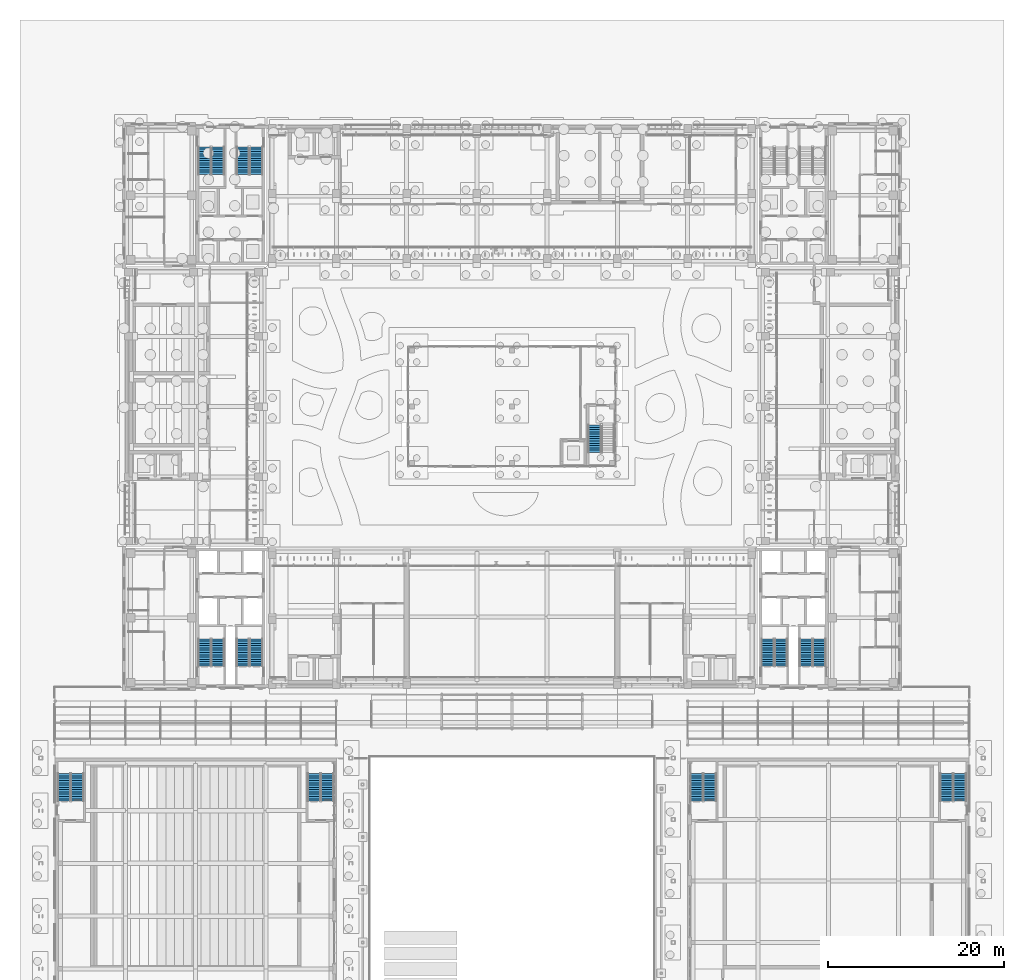
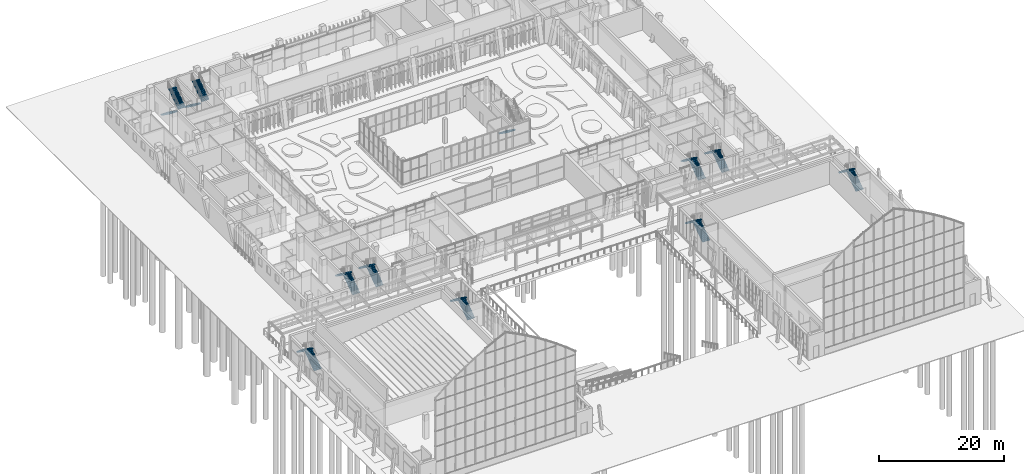
# One storey, part 115 of 144: 21 stair flights, 11 elements without a shape of their own.
"""IFC4 building model written with IfcOpenShell, lengths in metres."""

import ifcopenshell
import ifcopenshell.guid

model = None  # the IFC model being written
_history = None  # IfcOwnerHistory: only IFC2X3 demands one
_inside = {}  # id of a spatial element -> (the spatial element, [elements in it])
_under = {}  # id of a project, library or spatial element -> (it, [spatial elements below it])
_declared = {}  # id of a project -> (the project, [libraries it declares])
_typed = {}  # id of a type object -> (the type object, [elements of that type])
_made_of = {}  # id of a material, layer set ... -> (it, [elements and type objects made of it])


def new_model(schema):
    """Start an empty IFC model of exactly this schema.

    Asked for "IFC4X3", IfcOpenShell would pick the latest addendum, in which some entities
    have other attributes; the version numbers below select the first issue.
    IFC2X3 requires an IfcOwnerHistory on every rooted entity: one is made here for all.
    """
    global model, _history
    if schema == "IFC4X3":
        model = ifcopenshell.file(schema_version=(4, 3, 0, 0))
    else:
        model = ifcopenshell.file(schema=schema)
    _inside.clear()
    _under.clear()
    _declared.clear()
    _typed.clear()
    _made_of.clear()
    _history = None
    if model.schema == "IFC2X3":
        org = make("IfcOrganization", Name="unknown")
        user = make(
            "IfcPersonAndOrganization",
            ThePerson=make("IfcPerson", FamilyName="unknown"),
            TheOrganization=org,
        )
        app = make(
            "IfcApplication",
            ApplicationDeveloper=org,
            Version="unknown",
            ApplicationFullName="unknown",
            ApplicationIdentifier="unknown",
        )
        _history = make(
            "IfcOwnerHistory",
            OwningUser=user,
            OwningApplication=app,
            ChangeAction="ADDED",
            CreationDate=0,
        )
    return model


def make(cls, **values):
    """One entity of the class cls with the attributes given. An attribute that is None is left unset."""
    return model.create_entity(
        cls, **{name: value for name, value in values.items() if value is not None}
    )


def rooted(cls, **values):
    """An entity with a GlobalId (a new one), such as an element, a storey or a relation."""
    return make(cls, GlobalId=ifcopenshell.guid.new(), OwnerHistory=_history, **values)


def si_unit(unit_type, name, prefix=None):
    """IfcSIUnit, for example si_unit("LENGTHUNIT", "METRE", prefix="MILLI")."""
    return make("IfcSIUnit", UnitType=unit_type, Prefix=prefix, Name=name)


def assignment(units):
    """IfcUnitAssignment: the units of a project."""
    return None if units is None else make("IfcUnitAssignment", Units=units)


def point(xyz):
    """IfcCartesianPoint."""
    return None if xyz is None else make("IfcCartesianPoint", Coordinates=xyz)


def direction(xyz):
    """IfcDirection."""
    return None if xyz is None else make("IfcDirection", DirectionRatios=xyz)


def frame(location, z_axis=None, x_axis=None):
    """IfcAxis2Placement3D, a coordinate frame: its origin and axes. An axis left out is left unset."""
    return make(
        "IfcAxis2Placement3D",
        Location=point(location),
        Axis=direction(z_axis),
        RefDirection=direction(x_axis),
    )


def origin():
    """The frame at (0, 0, 0) with its axes left unset."""
    return frame((0.0, 0.0, 0.0))


def place(relative_to, where):
    """IfcLocalPlacement: puts the frame where relative to a parent placement (None: the world)."""
    return make(
        "IfcLocalPlacement", PlacementRelTo=relative_to, RelativePlacement=where
    )


def context(
    kind, dimensions, precision=None, world=None, true_north=None, identifier=None
):
    """IfcGeometricRepresentationContext, for example the 3D "Model" context."""
    return make(
        "IfcGeometricRepresentationContext",
        ContextIdentifier=identifier,
        ContextType=kind,
        CoordinateSpaceDimension=dimensions,
        Precision=precision,
        WorldCoordinateSystem=world,
        TrueNorth=true_north,
    )


def subcontext(parent, identifier, kind, view, scale=None):
    """IfcGeometricRepresentationSubContext, for example "Body" below "Model"."""
    return make(
        "IfcGeometricRepresentationSubContext",
        ContextIdentifier=identifier,
        ContextType=kind,
        ParentContext=parent,
        TargetScale=scale,
        TargetView=view,
    )


def project(units=None, contexts=None):
    """IfcProject with its units and contexts."""
    return rooted(
        "IfcProject",
        Name="project",
        RepresentationContexts=contexts,
        UnitsInContext=assignment(units),
    )


def spatial(cls, under=None, at=None, **own):
    """A site, building, storey or space (cls), placed at a placement, below another one or the project."""
    s = rooted(cls, ObjectPlacement=at, **own)
    if under is not None:
        _under.setdefault(under.id(), (under, []))[1].append(s)
    return s


def polyline(points):
    """IfcPolyline through the points."""
    return make("IfcPolyline", Points=[point(p) for p in points])


def outline(outer, holes=None, kind="AREA"):
    """IfcArbitraryClosedProfileDef: a profile drawn as a closed curve; with holes, ...WithVoids."""
    if holes is None:
        return make("IfcArbitraryClosedProfileDef", ProfileType=kind, OuterCurve=outer)
    return make(
        "IfcArbitraryProfileDefWithVoids",
        ProfileType=kind,
        OuterCurve=outer,
        InnerCurves=holes,
    )


def extrude(swept, where, along, depth):
    """IfcExtrudedAreaSolid: the profile swept, set in the frame where, extruded along a direction by depth."""
    return make(
        "IfcExtrudedAreaSolid",
        SweptArea=swept,
        Position=where,
        ExtrudedDirection=direction(along),
        Depth=depth,
    )


def shape(context_of_items, identifier, shape_type, items):
    """IfcShapeRepresentation: the items that make up one representation, for example the "Body"."""
    return make(
        "IfcShapeRepresentation",
        ContextOfItems=context_of_items,
        RepresentationIdentifier=identifier,
        RepresentationType=shape_type,
        Items=items,
    )


def material(Name=None, Category=None):
    """IfcMaterial."""
    return make("IfcMaterial", Name=Name, Category=Category)


def made_of(thing, what):
    """Note that an element or type object is made of a material, layer set ...; save() writes the relation."""
    if what is not None:
        _made_of.setdefault(what.id(), (what, []))[1].append(thing)
    return thing


def type_object(cls, material=None, **own):
    """A type object (cls), such as IfcWallType, which elements share."""
    return made_of(rooted(cls, **own), material)


def element(
    cls,
    number,
    at=None,
    inside=None,
    cuts=None,
    type_object=None,
    material=None,
    context=None,
    identifier="Body",
    shape_type=None,
    held_by="IfcProductDefinitionShape",
    body=None,
    shapes=None,
    **own,
):
    """One element of the class cls, such as IfcWall. Its Tag is "e" and its number.

    at: its placement. inside: the storey or other place that contains it. cuts: it is an
    opening in that element (IfcRelVoidsElement). A single representation is given by context,
    identifier, shape_type and body (its items); several are given by shapes. held_by: the class
    of the entity that holds the representations. save() writes the other relations.
    """
    e = rooted(cls, Tag="e%d" % number, ObjectPlacement=at, **own)
    if body is not None:
        shapes = [shape(context, identifier, shape_type, body)]
    if shapes is not None:
        e.Representation = make(held_by, Representations=shapes)
    if inside is not None:
        _inside.setdefault(inside.id(), (inside, []))[1].append(e)
    if cuts is not None:
        rooted(
            "IfcRelVoidsElement", RelatingBuildingElement=cuts, RelatedOpeningElement=e
        )
    if type_object is not None:
        _typed.setdefault(type_object.id(), (type_object, []))[1].append(e)
    return made_of(e, material)


def aggregate(whole, parts):
    """IfcRelAggregates: a whole, such as a stair, and the parts it consists of."""
    return rooted("IfcRelAggregates", RelatingObject=whole, RelatedObjects=parts)


def save(model, path):
    """Write the relations noted so far, then the file.

    IfcRelAggregates (storeys below a building ...), IfcRelContainedInSpatialStructure (elements
    in a storey), IfcRelDefinesByType, IfcRelAssociatesMaterial and IfcRelDeclares: one each for
    every whole, place, type object, material and project.
    """
    for whole, parts in _under.values():
        aggregate(whole, parts)
    for where, things in _inside.values():
        rooted(
            "IfcRelContainedInSpatialStructure",
            RelatedElements=things,
            RelatingStructure=where,
        )
    for kind, things in _typed.values():
        rooted("IfcRelDefinesByType", RelatedObjects=things, RelatingType=kind)
    for what, things in _made_of.values():
        rooted("IfcRelAssociatesMaterial", RelatedObjects=things, RelatingMaterial=what)
    for by, libraries in _declared.values():
        rooted("IfcRelDeclares", RelatingContext=by, RelatedDefinitions=libraries)
    model.write(path)


model = new_model("IFC4")

# Units and contexts
model_context = context("Model", 3, precision=1e-05, world=origin(), true_north=direction((0.0, 1.0)))
body_context = subcontext(model_context, "Body", "Model", "MODEL_VIEW")
ifc_project = project(units=[si_unit("LENGTHUNIT", "METRE"), si_unit("AREAUNIT", "SQUARE_METRE"), si_unit("VOLUMEUNIT", "CUBIC_METRE"), si_unit("PLANEANGLEUNIT", "RADIAN"), si_unit("MASSUNIT", "GRAM", prefix="KILO")], contexts=[model_context])

# Site, building, storey
site_placement = place(None, origin())
site = spatial("IfcSite", under=ifc_project, at=site_placement, CompositionType="ELEMENT")
building_placement = place(site_placement, origin())
building = spatial("IfcBuilding", under=site, at=building_placement, Name="Lantern Court Media Centre", CompositionType="ELEMENT")
storey_placement = place(building_placement, origin())
storey = spatial("IfcBuildingStorey", under=building, at=storey_placement, Name="L00", CompositionType="ELEMENT", Elevation=0.0)

# Stair, stair flights
ifc_material = material(Name="Concrete C40", Category="concrete")
stair_type = type_object("IfcStairType", Name="Exit stair 1350", PredefinedType="HALF_TURN_STAIR", material=ifc_material)
stair_1_placement = place(storey_placement, origin())
stair_1 = element("IfcStair", 1, at=stair_1_placement, inside=storey, type_object=stair_type, Name="L00 SW exit stair A", PredefinedType="HALF_TURN_STAIR")
stair_flight_type = type_object("IfcStairFlightType", Name="Stair flight RC 1350", PredefinedType="STRAIGHT", material=ifc_material)
stair_flight_1_placement = place(storey_placement, frame((18.52490234375, 50.449951171875, 0.0), z_axis=(0.0, 0.0, 1.0), x_axis=(0.0, 1.0, 0.0)))
stair_flight_1 = element("IfcStairFlight", 2, at=stair_flight_1_placement, type_object=stair_flight_type, Name="ST-SWA flight 1", NumberOfRisers=13, NumberOfTreads=12, PredefinedType="STRAIGHT", RiserHeight=0.184615385, TreadLength=0.26, context=body_context, shape_type="SweptSolid", body=[
    extrude(outline(polyline([(0.0, 0.0), (0.0, 0.1845703125), (0.260009765625, 0.1845703125), (0.260009765625, 0.369140625), (0.52001953125, 0.369140625), (0.52001953125, 0.553955078125), (0.780029296875, 0.553955078125), (0.780029296875, 0.738525390625), (1.0400390625, 0.738525390625), (1.0400390625, 0.923095703125), (1.300048828125, 0.923095703125), (1.300048828125, 1.107666015625), (1.56005859375, 1.107666015625), (1.56005859375, 1.292236328125), (1.820068359375, 1.292236328125), (1.820068359375, 1.476806640625), (2.080078125, 1.476806640625), (2.080078125, 1.66162109375), (2.340087890625, 1.66162109375), (2.340087890625, 1.84619140625), (2.60009765625, 1.84619140625), (2.60009765625, 2.03076171875), (2.860107421875, 2.03076171875), (2.860107421875, 2.21533203125), (3.1201171875, 2.21533203125), (3.1201171875, 2.39990234375), (3.1201171875, 2.031494140625), (0.259033203125, 0.0), (0.0, 0.0)])), frame((0.0, 0.675048828125, 0.0), z_axis=(0.0, -1.0, 0.0), x_axis=(1.0, 0.0, 0.0)), (0.0, 0.0, 1.0), 1.35009765625),
])
stair_flight_2_placement = place(storey_placement, frame((17.02490234375, 53.570068359375, 2.39990234375), z_axis=(0.0, 0.0, 1.0), x_axis=(0.0, -1.0, 0.0)))
stair_flight_2 = element("IfcStairFlight", 3, at=stair_flight_2_placement, type_object=stair_flight_type, Name="ST-SWA flight 2", NumberOfRisers=13, NumberOfTreads=12, PredefinedType="STRAIGHT", RiserHeight=0.184615385, TreadLength=0.26, context=body_context, shape_type="SweptSolid", body=[
    extrude(outline(polyline([(0.0, 0.0), (0.0, 0.1845703125), (0.260009765625, 0.1845703125), (0.260009765625, 0.369140625), (0.52001953125, 0.369140625), (0.52001953125, 0.553955078125), (0.780029296875, 0.553955078125), (0.780029296875, 0.738525390625), (1.0400390625, 0.738525390625), (1.0400390625, 0.923095703125), (1.300048828125, 0.923095703125), (1.300048828125, 1.107666015625), (1.56005859375, 1.107666015625), (1.56005859375, 1.292236328125), (1.820068359375, 1.292236328125), (1.820068359375, 1.476806640625), (2.080078125, 1.476806640625), (2.080078125, 1.66162109375), (2.340087890625, 1.66162109375), (2.340087890625, 1.84619140625), (2.60009765625, 1.84619140625), (2.60009765625, 2.03076171875), (2.860107421875, 2.03076171875), (2.860107421875, 2.21533203125), (3.1201171875, 2.21533203125), (3.1201171875, 2.39990234375), (3.1201171875, 2.031494140625), (0.259033203125, 0.0), (0.0, 0.0)])), frame((0.0, 0.675048828125, 0.0), z_axis=(0.0, -1.0, 0.0), x_axis=(1.0, 0.0, 0.0)), (0.0, 0.0, 1.0), 1.35009765625),
])
aggregate(stair_1, [stair_flight_1, stair_flight_2])

stair_2_placement = place(storey_placement, origin())
stair_2 = element("IfcStair", 4, at=stair_2_placement, inside=storey, type_object=stair_type, Name="L00 SW exit stair B", PredefinedType="HALF_TURN_STAIR")
stair_flight_3_placement = place(storey_placement, frame((22.875, 50.449951171875, 0.0), z_axis=(0.0, 0.0, 1.0), x_axis=(0.0, 1.0, 0.0)))
stair_flight_3 = element("IfcStairFlight", 5, at=stair_flight_3_placement, type_object=stair_flight_type, Name="ST-SWB flight 1", NumberOfRisers=13, NumberOfTreads=12, PredefinedType="STRAIGHT", RiserHeight=0.184615385, TreadLength=0.26, context=body_context, shape_type="SweptSolid", body=[
    extrude(outline(polyline([(0.0, 0.0), (0.0, 0.1845703125), (0.260009765625, 0.1845703125), (0.260009765625, 0.369140625), (0.52001953125, 0.369140625), (0.52001953125, 0.553955078125), (0.780029296875, 0.553955078125), (0.780029296875, 0.738525390625), (1.0400390625, 0.738525390625), (1.0400390625, 0.923095703125), (1.300048828125, 0.923095703125), (1.300048828125, 1.107666015625), (1.56005859375, 1.107666015625), (1.56005859375, 1.292236328125), (1.820068359375, 1.292236328125), (1.820068359375, 1.476806640625), (2.080078125, 1.476806640625), (2.080078125, 1.66162109375), (2.340087890625, 1.66162109375), (2.340087890625, 1.84619140625), (2.60009765625, 1.84619140625), (2.60009765625, 2.03076171875), (2.860107421875, 2.03076171875), (2.860107421875, 2.21533203125), (3.1201171875, 2.21533203125), (3.1201171875, 2.39990234375), (3.1201171875, 2.031494140625), (0.259033203125, 0.0), (0.0, 0.0)])), frame((0.0, 0.675048828125, 0.0), z_axis=(0.0, -1.0, 0.0), x_axis=(1.0, 0.0, 0.0)), (0.0, 0.0, 1.0), 1.35009765625),
])
stair_flight_4_placement = place(storey_placement, frame((21.375, 53.570068359375, 2.39990234375), z_axis=(0.0, 0.0, 1.0), x_axis=(0.0, -1.0, 0.0)))
stair_flight_4 = element("IfcStairFlight", 6, at=stair_flight_4_placement, type_object=stair_flight_type, Name="ST-SWB flight 2", NumberOfRisers=13, NumberOfTreads=12, PredefinedType="STRAIGHT", RiserHeight=0.184615385, TreadLength=0.26, context=body_context, shape_type="SweptSolid", body=[
    extrude(outline(polyline([(0.0, 0.0), (0.0, 0.1845703125), (0.260009765625, 0.1845703125), (0.260009765625, 0.369140625), (0.52001953125, 0.369140625), (0.52001953125, 0.553955078125), (0.780029296875, 0.553955078125), (0.780029296875, 0.738525390625), (1.0400390625, 0.738525390625), (1.0400390625, 0.923095703125), (1.300048828125, 0.923095703125), (1.300048828125, 1.107666015625), (1.56005859375, 1.107666015625), (1.56005859375, 1.292236328125), (1.820068359375, 1.292236328125), (1.820068359375, 1.476806640625), (2.080078125, 1.476806640625), (2.080078125, 1.66162109375), (2.340087890625, 1.66162109375), (2.340087890625, 1.84619140625), (2.60009765625, 1.84619140625), (2.60009765625, 2.03076171875), (2.860107421875, 2.03076171875), (2.860107421875, 2.21533203125), (3.1201171875, 2.21533203125), (3.1201171875, 2.39990234375), (3.1201171875, 2.031494140625), (0.259033203125, 0.0), (0.0, 0.0)])), frame((0.0, 0.675048828125, 0.0), z_axis=(0.0, -1.0, 0.0), x_axis=(1.0, 0.0, 0.0)), (0.0, 0.0, 1.0), 1.35009765625),
])
aggregate(stair_2, [stair_flight_3, stair_flight_4])

stair_3_placement = place(storey_placement, origin())
stair_3 = element("IfcStair", 7, at=stair_3_placement, inside=storey, type_object=stair_type, Name="L00 SE exit stair A", PredefinedType="HALF_TURN_STAIR")
stair_flight_5_placement = place(storey_placement, frame((86.97509765625, 50.449951171875, 0.0), z_axis=(0.0, 0.0, 1.0), x_axis=(0.0, 1.0, 0.0)))
stair_flight_5 = element("IfcStairFlight", 8, at=stair_flight_5_placement, type_object=stair_flight_type, Name="ST-SEA flight 1", NumberOfRisers=13, NumberOfTreads=12, PredefinedType="STRAIGHT", RiserHeight=0.184615385, TreadLength=0.26, context=body_context, shape_type="SweptSolid", body=[
    extrude(outline(polyline([(0.0, 0.0), (0.0, 0.1845703125), (0.260009765625, 0.1845703125), (0.260009765625, 0.369140625), (0.52001953125, 0.369140625), (0.52001953125, 0.553955078125), (0.780029296875, 0.553955078125), (0.780029296875, 0.738525390625), (1.0400390625, 0.738525390625), (1.0400390625, 0.923095703125), (1.300048828125, 0.923095703125), (1.300048828125, 1.107666015625), (1.56005859375, 1.107666015625), (1.56005859375, 1.292236328125), (1.820068359375, 1.292236328125), (1.820068359375, 1.476806640625), (2.080078125, 1.476806640625), (2.080078125, 1.66162109375), (2.340087890625, 1.66162109375), (2.340087890625, 1.84619140625), (2.60009765625, 1.84619140625), (2.60009765625, 2.03076171875), (2.860107421875, 2.03076171875), (2.860107421875, 2.21533203125), (3.1201171875, 2.21533203125), (3.1201171875, 2.39990234375), (3.1201171875, 2.031494140625), (0.259033203125, 0.0), (0.0, 0.0)])), frame((0.0, 0.675048828125, 0.0), z_axis=(0.0, -1.0, 0.0), x_axis=(1.0, 0.0, 0.0)), (0.0, 0.0, 1.0), 1.35009765625),
])
stair_flight_6_placement = place(storey_placement, frame((85.47509765625, 53.570068359375, 2.39990234375), z_axis=(0.0, 0.0, 1.0), x_axis=(0.0, -1.0, 0.0)))
stair_flight_6 = element("IfcStairFlight", 9, at=stair_flight_6_placement, type_object=stair_flight_type, Name="ST-SEA flight 2", NumberOfRisers=13, NumberOfTreads=12, PredefinedType="STRAIGHT", RiserHeight=0.184615385, TreadLength=0.26, context=body_context, shape_type="SweptSolid", body=[
    extrude(outline(polyline([(0.0, 0.0), (0.0, 0.1845703125), (0.260009765625, 0.1845703125), (0.260009765625, 0.369140625), (0.52001953125, 0.369140625), (0.52001953125, 0.553955078125), (0.780029296875, 0.553955078125), (0.780029296875, 0.738525390625), (1.0400390625, 0.738525390625), (1.0400390625, 0.923095703125), (1.300048828125, 0.923095703125), (1.300048828125, 1.107666015625), (1.56005859375, 1.107666015625), (1.56005859375, 1.292236328125), (1.820068359375, 1.292236328125), (1.820068359375, 1.476806640625), (2.080078125, 1.476806640625), (2.080078125, 1.66162109375), (2.340087890625, 1.66162109375), (2.340087890625, 1.84619140625), (2.60009765625, 1.84619140625), (2.60009765625, 2.03076171875), (2.860107421875, 2.03076171875), (2.860107421875, 2.21533203125), (3.1201171875, 2.21533203125), (3.1201171875, 2.39990234375), (3.1201171875, 2.031494140625), (0.259033203125, 0.0), (0.0, 0.0)])), frame((0.0, 0.675048828125, 0.0), z_axis=(0.0, -1.0, 0.0), x_axis=(1.0, 0.0, 0.0)), (0.0, 0.0, 1.0), 1.35009765625),
])
aggregate(stair_3, [stair_flight_5, stair_flight_6])

stair_4_placement = place(storey_placement, origin())
stair_4 = element("IfcStair", 10, at=stair_4_placement, inside=storey, type_object=stair_type, Name="L00 SE exit stair B", PredefinedType="HALF_TURN_STAIR")
stair_flight_7_placement = place(storey_placement, frame((82.625, 50.449951171875, 0.0), z_axis=(0.0, 0.0, 1.0), x_axis=(0.0, 1.0, 0.0)))
stair_flight_7 = element("IfcStairFlight", 11, at=stair_flight_7_placement, type_object=stair_flight_type, Name="ST-SEB flight 1", NumberOfRisers=13, NumberOfTreads=12, PredefinedType="STRAIGHT", RiserHeight=0.184615385, TreadLength=0.26, context=body_context, shape_type="SweptSolid", body=[
    extrude(outline(polyline([(0.0, 0.0), (0.0, 0.1845703125), (0.260009765625, 0.1845703125), (0.260009765625, 0.369140625), (0.52001953125, 0.369140625), (0.52001953125, 0.553955078125), (0.780029296875, 0.553955078125), (0.780029296875, 0.738525390625), (1.0400390625, 0.738525390625), (1.0400390625, 0.923095703125), (1.300048828125, 0.923095703125), (1.300048828125, 1.107666015625), (1.56005859375, 1.107666015625), (1.56005859375, 1.292236328125), (1.820068359375, 1.292236328125), (1.820068359375, 1.476806640625), (2.080078125, 1.476806640625), (2.080078125, 1.66162109375), (2.340087890625, 1.66162109375), (2.340087890625, 1.84619140625), (2.60009765625, 1.84619140625), (2.60009765625, 2.03076171875), (2.860107421875, 2.03076171875), (2.860107421875, 2.21533203125), (3.1201171875, 2.21533203125), (3.1201171875, 2.39990234375), (3.1201171875, 2.031494140625), (0.259033203125, 0.0), (0.0, 0.0)])), frame((0.0, 0.675048828125, 0.0), z_axis=(0.0, -1.0, 0.0), x_axis=(1.0, 0.0, 0.0)), (0.0, 0.0, 1.0), 1.35009765625),
])
stair_flight_8_placement = place(storey_placement, frame((81.125, 53.570068359375, 2.39990234375), z_axis=(0.0, 0.0, 1.0), x_axis=(0.0, -1.0, 0.0)))
stair_flight_8 = element("IfcStairFlight", 12, at=stair_flight_8_placement, type_object=stair_flight_type, Name="ST-SEB flight 2", NumberOfRisers=13, NumberOfTreads=12, PredefinedType="STRAIGHT", RiserHeight=0.184615385, TreadLength=0.26, context=body_context, shape_type="SweptSolid", body=[
    extrude(outline(polyline([(0.0, 0.0), (0.0, 0.1845703125), (0.260009765625, 0.1845703125), (0.260009765625, 0.369140625), (0.52001953125, 0.369140625), (0.52001953125, 0.553955078125), (0.780029296875, 0.553955078125), (0.780029296875, 0.738525390625), (1.0400390625, 0.738525390625), (1.0400390625, 0.923095703125), (1.300048828125, 0.923095703125), (1.300048828125, 1.107666015625), (1.56005859375, 1.107666015625), (1.56005859375, 1.292236328125), (1.820068359375, 1.292236328125), (1.820068359375, 1.476806640625), (2.080078125, 1.476806640625), (2.080078125, 1.66162109375), (2.340087890625, 1.66162109375), (2.340087890625, 1.84619140625), (2.60009765625, 1.84619140625), (2.60009765625, 2.03076171875), (2.860107421875, 2.03076171875), (2.860107421875, 2.21533203125), (3.1201171875, 2.21533203125), (3.1201171875, 2.39990234375), (3.1201171875, 2.031494140625), (0.259033203125, 0.0), (0.0, 0.0)])), frame((0.0, 0.675048828125, 0.0), z_axis=(0.0, -1.0, 0.0), x_axis=(1.0, 0.0, 0.0)), (0.0, 0.0, 1.0), 1.35009765625),
])
aggregate(stair_4, [stair_flight_7, stair_flight_8])

stair_5_placement = place(storey_placement, origin())
stair_5 = element("IfcStair", 13, at=stair_5_placement, inside=storey, type_object=stair_type, Name="L00 NW exit stair A", PredefinedType="HALF_TURN_STAIR")
stair_flight_9_placement = place(storey_placement, frame((17.02490234375, 109.550048828125, 0.0), z_axis=(0.0, 0.0, 1.0), x_axis=(0.0, -1.0, 0.0)))
stair_flight_9 = element("IfcStairFlight", 14, at=stair_flight_9_placement, type_object=stair_flight_type, Name="ST-NWA flight 1", NumberOfRisers=13, NumberOfTreads=12, PredefinedType="STRAIGHT", RiserHeight=0.184615385, TreadLength=0.26, context=body_context, shape_type="SweptSolid", body=[
    extrude(outline(polyline([(0.0, 0.0), (0.0, 0.1845703125), (0.260009765625, 0.1845703125), (0.260009765625, 0.369140625), (0.52001953125, 0.369140625), (0.52001953125, 0.553955078125), (0.780029296875, 0.553955078125), (0.780029296875, 0.738525390625), (1.0400390625, 0.738525390625), (1.0400390625, 0.923095703125), (1.300048828125, 0.923095703125), (1.300048828125, 1.107666015625), (1.56005859375, 1.107666015625), (1.56005859375, 1.292236328125), (1.820068359375, 1.292236328125), (1.820068359375, 1.476806640625), (2.080078125, 1.476806640625), (2.080078125, 1.66162109375), (2.340087890625, 1.66162109375), (2.340087890625, 1.84619140625), (2.60009765625, 1.84619140625), (2.60009765625, 2.03076171875), (2.860107421875, 2.03076171875), (2.860107421875, 2.21533203125), (3.1201171875, 2.21533203125), (3.1201171875, 2.39990234375), (3.1201171875, 2.031494140625), (0.259033203125, 0.0), (0.0, 0.0)])), frame((0.0, 0.675048828125, 0.0), z_axis=(0.0, -1.0, 0.0), x_axis=(1.0, 0.0, 0.0)), (0.0, 0.0, 1.0), 1.35009765625),
])
stair_flight_10_placement = place(storey_placement, frame((18.52490234375, 106.429931640625, 2.39990234375), z_axis=(0.0, 0.0, 1.0), x_axis=(0.0, 1.0, 0.0)))
stair_flight_10 = element("IfcStairFlight", 15, at=stair_flight_10_placement, type_object=stair_flight_type, Name="ST-NWA flight 2", NumberOfRisers=13, NumberOfTreads=12, PredefinedType="STRAIGHT", RiserHeight=0.184615385, TreadLength=0.26, context=body_context, shape_type="SweptSolid", body=[
    extrude(outline(polyline([(0.0, 0.0), (0.0, 0.1845703125), (0.260009765625, 0.1845703125), (0.260009765625, 0.369140625), (0.52001953125, 0.369140625), (0.52001953125, 0.553955078125), (0.780029296875, 0.553955078125), (0.780029296875, 0.738525390625), (1.0400390625, 0.738525390625), (1.0400390625, 0.923095703125), (1.300048828125, 0.923095703125), (1.300048828125, 1.107666015625), (1.56005859375, 1.107666015625), (1.56005859375, 1.292236328125), (1.820068359375, 1.292236328125), (1.820068359375, 1.476806640625), (2.080078125, 1.476806640625), (2.080078125, 1.66162109375), (2.340087890625, 1.66162109375), (2.340087890625, 1.84619140625), (2.60009765625, 1.84619140625), (2.60009765625, 2.03076171875), (2.860107421875, 2.03076171875), (2.860107421875, 2.21533203125), (3.1201171875, 2.21533203125), (3.1201171875, 2.39990234375), (3.1201171875, 2.031494140625), (0.259033203125, 0.0), (0.0, 0.0)])), frame((0.0, 0.675048828125, 0.0), z_axis=(0.0, -1.0, 0.0), x_axis=(1.0, 0.0, 0.0)), (0.0, 0.0, 1.0), 1.35009765625),
])
aggregate(stair_5, [stair_flight_9, stair_flight_10])

stair_6_placement = place(storey_placement, origin())
stair_6 = element("IfcStair", 16, at=stair_6_placement, inside=storey, type_object=stair_type, Name="L00 NW exit stair B", PredefinedType="HALF_TURN_STAIR")
stair_flight_11_placement = place(storey_placement, frame((21.375, 109.550048828125, 0.0), z_axis=(0.0, 0.0, 1.0), x_axis=(0.0, -1.0, 0.0)))
stair_flight_11 = element("IfcStairFlight", 17, at=stair_flight_11_placement, type_object=stair_flight_type, Name="ST-NWB flight 1", NumberOfRisers=13, NumberOfTreads=12, PredefinedType="STRAIGHT", RiserHeight=0.184615385, TreadLength=0.26, context=body_context, shape_type="SweptSolid", body=[
    extrude(outline(polyline([(0.0, 0.0), (0.0, 0.1845703125), (0.260009765625, 0.1845703125), (0.260009765625, 0.369140625), (0.52001953125, 0.369140625), (0.52001953125, 0.553955078125), (0.780029296875, 0.553955078125), (0.780029296875, 0.738525390625), (1.0400390625, 0.738525390625), (1.0400390625, 0.923095703125), (1.300048828125, 0.923095703125), (1.300048828125, 1.107666015625), (1.56005859375, 1.107666015625), (1.56005859375, 1.292236328125), (1.820068359375, 1.292236328125), (1.820068359375, 1.476806640625), (2.080078125, 1.476806640625), (2.080078125, 1.66162109375), (2.340087890625, 1.66162109375), (2.340087890625, 1.84619140625), (2.60009765625, 1.84619140625), (2.60009765625, 2.03076171875), (2.860107421875, 2.03076171875), (2.860107421875, 2.21533203125), (3.1201171875, 2.21533203125), (3.1201171875, 2.39990234375), (3.1201171875, 2.031494140625), (0.259033203125, 0.0), (0.0, 0.0)])), frame((0.0, 0.675048828125, 0.0), z_axis=(0.0, -1.0, 0.0), x_axis=(1.0, 0.0, 0.0)), (0.0, 0.0, 1.0), 1.35009765625),
])
stair_flight_12_placement = place(storey_placement, frame((22.875, 106.429931640625, 2.39990234375), z_axis=(0.0, 0.0, 1.0), x_axis=(0.0, 1.0, 0.0)))
stair_flight_12 = element("IfcStairFlight", 18, at=stair_flight_12_placement, type_object=stair_flight_type, Name="ST-NWB flight 2", NumberOfRisers=13, NumberOfTreads=12, PredefinedType="STRAIGHT", RiserHeight=0.184615385, TreadLength=0.26, context=body_context, shape_type="SweptSolid", body=[
    extrude(outline(polyline([(0.0, 0.0), (0.0, 0.1845703125), (0.260009765625, 0.1845703125), (0.260009765625, 0.369140625), (0.52001953125, 0.369140625), (0.52001953125, 0.553955078125), (0.780029296875, 0.553955078125), (0.780029296875, 0.738525390625), (1.0400390625, 0.738525390625), (1.0400390625, 0.923095703125), (1.300048828125, 0.923095703125), (1.300048828125, 1.107666015625), (1.56005859375, 1.107666015625), (1.56005859375, 1.292236328125), (1.820068359375, 1.292236328125), (1.820068359375, 1.476806640625), (2.080078125, 1.476806640625), (2.080078125, 1.66162109375), (2.340087890625, 1.66162109375), (2.340087890625, 1.84619140625), (2.60009765625, 1.84619140625), (2.60009765625, 2.03076171875), (2.860107421875, 2.03076171875), (2.860107421875, 2.21533203125), (3.1201171875, 2.21533203125), (3.1201171875, 2.39990234375), (3.1201171875, 2.031494140625), (0.259033203125, 0.0), (0.0, 0.0)])), frame((0.0, 0.675048828125, 0.0), z_axis=(0.0, -1.0, 0.0), x_axis=(1.0, 0.0, 0.0)), (0.0, 0.0, 1.0), 1.35009765625),
])
aggregate(stair_6, [stair_flight_11, stair_flight_12])

stair_7_placement = place(storey_placement, origin())
stair_7 = element("IfcStair", 19, at=stair_7_placement, inside=storey, type_object=stair_type, Name="L00 V1-ST-W exit stair", PredefinedType="HALF_TURN_STAIR")
stair_flight_13_placement = place(storey_placement, frame((2.52490234375, 35.10009765625, 0.0), z_axis=(0.0, 0.0, 1.0), x_axis=(0.0, 1.0, 0.0)))
stair_flight_13 = element("IfcStairFlight", 20, at=stair_flight_13_placement, type_object=stair_flight_type, Name="ST-V1-ST-W flight 1", NumberOfRisers=13, NumberOfTreads=12, PredefinedType="STRAIGHT", RiserHeight=0.184615385, TreadLength=0.26, context=body_context, shape_type="SweptSolid", body=[
    extrude(outline(polyline([(0.0, 0.0), (0.0, 0.1845703125), (0.260009765625, 0.1845703125), (0.260009765625, 0.369140625), (0.52001953125, 0.369140625), (0.52001953125, 0.553955078125), (0.780029296875, 0.553955078125), (0.780029296875, 0.738525390625), (1.0400390625, 0.738525390625), (1.0400390625, 0.923095703125), (1.300048828125, 0.923095703125), (1.300048828125, 1.107666015625), (1.56005859375, 1.107666015625), (1.56005859375, 1.292236328125), (1.820068359375, 1.292236328125), (1.820068359375, 1.476806640625), (2.080078125, 1.476806640625), (2.080078125, 1.66162109375), (2.340087890625, 1.66162109375), (2.340087890625, 1.84619140625), (2.60009765625, 1.84619140625), (2.60009765625, 2.03076171875), (2.860107421875, 2.03076171875), (2.860107421875, 2.21533203125), (3.1201171875, 2.21533203125), (3.1201171875, 2.39990234375), (3.1201171875, 2.031494140625), (0.259033203125, 0.0), (0.0, 0.0)])), frame((0.0, 0.675048828125, 0.0), z_axis=(0.0, -1.0, 0.0), x_axis=(1.0, 0.0, 0.0)), (0.0, 0.0, 1.0), 1.35009765625),
])
stair_flight_14_placement = place(storey_placement, frame((1.02490234375, 38.219970703125, 2.39990234375), z_axis=(0.0, 0.0, 1.0), x_axis=(0.0, -1.0, 0.0)))
stair_flight_14 = element("IfcStairFlight", 21, at=stair_flight_14_placement, type_object=stair_flight_type, Name="ST-V1-ST-W flight 2", NumberOfRisers=13, NumberOfTreads=12, PredefinedType="STRAIGHT", RiserHeight=0.184615385, TreadLength=0.26, context=body_context, shape_type="SweptSolid", body=[
    extrude(outline(polyline([(0.0, 0.0), (0.0, 0.1845703125), (0.260009765625, 0.1845703125), (0.260009765625, 0.369140625), (0.52001953125, 0.369140625), (0.52001953125, 0.553955078125), (0.780029296875, 0.553955078125), (0.780029296875, 0.738525390625), (1.0400390625, 0.738525390625), (1.0400390625, 0.923095703125), (1.300048828125, 0.923095703125), (1.300048828125, 1.107666015625), (1.56005859375, 1.107666015625), (1.56005859375, 1.292236328125), (1.820068359375, 1.292236328125), (1.820068359375, 1.476806640625), (2.080078125, 1.476806640625), (2.080078125, 1.66162109375), (2.340087890625, 1.66162109375), (2.340087890625, 1.84619140625), (2.60009765625, 1.84619140625), (2.60009765625, 2.03076171875), (2.860107421875, 2.03076171875), (2.860107421875, 2.21533203125), (3.1201171875, 2.21533203125), (3.1201171875, 2.39990234375), (3.1201171875, 2.031494140625), (0.259033203125, 0.0), (0.0, 0.0)])), frame((0.0, 0.675048828125, 0.0), z_axis=(0.0, -1.0, 0.0), x_axis=(1.0, 0.0, 0.0)), (0.0, 0.0, 1.0), 1.35009765625),
])
aggregate(stair_7, [stair_flight_13, stair_flight_14])

stair_8_placement = place(storey_placement, origin())
stair_8 = element("IfcStair", 22, at=stair_8_placement, inside=storey, type_object=stair_type, Name="L00 V1-ST-E exit stair", PredefinedType="HALF_TURN_STAIR")
stair_flight_15_placement = place(storey_placement, frame((30.97509765625, 35.10009765625, 0.0), z_axis=(0.0, 0.0, 1.0), x_axis=(0.0, 1.0, 0.0)))
stair_flight_15 = element("IfcStairFlight", 23, at=stair_flight_15_placement, type_object=stair_flight_type, Name="ST-V1-ST-E flight 1", NumberOfRisers=13, NumberOfTreads=12, PredefinedType="STRAIGHT", RiserHeight=0.184615385, TreadLength=0.26, context=body_context, shape_type="SweptSolid", body=[
    extrude(outline(polyline([(0.0, 0.0), (0.0, 0.1845703125), (0.260009765625, 0.1845703125), (0.260009765625, 0.369140625), (0.52001953125, 0.369140625), (0.52001953125, 0.553955078125), (0.780029296875, 0.553955078125), (0.780029296875, 0.738525390625), (1.0400390625, 0.738525390625), (1.0400390625, 0.923095703125), (1.300048828125, 0.923095703125), (1.300048828125, 1.107666015625), (1.56005859375, 1.107666015625), (1.56005859375, 1.292236328125), (1.820068359375, 1.292236328125), (1.820068359375, 1.476806640625), (2.080078125, 1.476806640625), (2.080078125, 1.66162109375), (2.340087890625, 1.66162109375), (2.340087890625, 1.84619140625), (2.60009765625, 1.84619140625), (2.60009765625, 2.03076171875), (2.860107421875, 2.03076171875), (2.860107421875, 2.21533203125), (3.1201171875, 2.21533203125), (3.1201171875, 2.39990234375), (3.1201171875, 2.031494140625), (0.259033203125, 0.0), (0.0, 0.0)])), frame((0.0, 0.675048828125, 0.0), z_axis=(0.0, -1.0, 0.0), x_axis=(1.0, 0.0, 0.0)), (0.0, 0.0, 1.0), 1.35009765625),
])
stair_flight_16_placement = place(storey_placement, frame((29.47509765625, 38.219970703125, 2.39990234375), z_axis=(0.0, 0.0, 1.0), x_axis=(0.0, -1.0, 0.0)))
stair_flight_16 = element("IfcStairFlight", 24, at=stair_flight_16_placement, type_object=stair_flight_type, Name="ST-V1-ST-E flight 2", NumberOfRisers=13, NumberOfTreads=12, PredefinedType="STRAIGHT", RiserHeight=0.184615385, TreadLength=0.26, context=body_context, shape_type="SweptSolid", body=[
    extrude(outline(polyline([(0.0, 0.0), (0.0, 0.1845703125), (0.260009765625, 0.1845703125), (0.260009765625, 0.369140625), (0.52001953125, 0.369140625), (0.52001953125, 0.553955078125), (0.780029296875, 0.553955078125), (0.780029296875, 0.738525390625), (1.0400390625, 0.738525390625), (1.0400390625, 0.923095703125), (1.300048828125, 0.923095703125), (1.300048828125, 1.107666015625), (1.56005859375, 1.107666015625), (1.56005859375, 1.292236328125), (1.820068359375, 1.292236328125), (1.820068359375, 1.476806640625), (2.080078125, 1.476806640625), (2.080078125, 1.66162109375), (2.340087890625, 1.66162109375), (2.340087890625, 1.84619140625), (2.60009765625, 1.84619140625), (2.60009765625, 2.03076171875), (2.860107421875, 2.03076171875), (2.860107421875, 2.21533203125), (3.1201171875, 2.21533203125), (3.1201171875, 2.39990234375), (3.1201171875, 2.031494140625), (0.259033203125, 0.0), (0.0, 0.0)])), frame((0.0, 0.675048828125, 0.0), z_axis=(0.0, -1.0, 0.0), x_axis=(1.0, 0.0, 0.0)), (0.0, 0.0, 1.0), 1.35009765625),
])
aggregate(stair_8, [stair_flight_15, stair_flight_16])

stair_9_placement = place(storey_placement, origin())
stair_9 = element("IfcStair", 25, at=stair_9_placement, inside=storey, type_object=stair_type, Name="L00 V2-ST-W exit stair", PredefinedType="HALF_TURN_STAIR")
stair_flight_17_placement = place(storey_placement, frame((74.52490234375, 35.10009765625, 0.0), z_axis=(0.0, 0.0, 1.0), x_axis=(0.0, 1.0, 0.0)))
stair_flight_17 = element("IfcStairFlight", 26, at=stair_flight_17_placement, type_object=stair_flight_type, Name="ST-V2-ST-W flight 1", NumberOfRisers=13, NumberOfTreads=12, PredefinedType="STRAIGHT", RiserHeight=0.184615385, TreadLength=0.26, context=body_context, shape_type="SweptSolid", body=[
    extrude(outline(polyline([(0.0, 0.0), (0.0, 0.1845703125), (0.260009765625, 0.1845703125), (0.260009765625, 0.369140625), (0.52001953125, 0.369140625), (0.52001953125, 0.553955078125), (0.780029296875, 0.553955078125), (0.780029296875, 0.738525390625), (1.0400390625, 0.738525390625), (1.0400390625, 0.923095703125), (1.300048828125, 0.923095703125), (1.300048828125, 1.107666015625), (1.56005859375, 1.107666015625), (1.56005859375, 1.292236328125), (1.820068359375, 1.292236328125), (1.820068359375, 1.476806640625), (2.080078125, 1.476806640625), (2.080078125, 1.66162109375), (2.340087890625, 1.66162109375), (2.340087890625, 1.84619140625), (2.60009765625, 1.84619140625), (2.60009765625, 2.03076171875), (2.860107421875, 2.03076171875), (2.860107421875, 2.21533203125), (3.1201171875, 2.21533203125), (3.1201171875, 2.39990234375), (3.1201171875, 2.031494140625), (0.259033203125, 0.0), (0.0, 0.0)])), frame((0.0, 0.675048828125, 0.0), z_axis=(0.0, -1.0, 0.0), x_axis=(1.0, 0.0, 0.0)), (0.0, 0.0, 1.0), 1.35009765625),
])
stair_flight_18_placement = place(storey_placement, frame((73.02490234375, 38.219970703125, 2.39990234375), z_axis=(0.0, 0.0, 1.0), x_axis=(0.0, -1.0, 0.0)))
stair_flight_18 = element("IfcStairFlight", 27, at=stair_flight_18_placement, type_object=stair_flight_type, Name="ST-V2-ST-W flight 2", NumberOfRisers=13, NumberOfTreads=12, PredefinedType="STRAIGHT", RiserHeight=0.184615385, TreadLength=0.26, context=body_context, shape_type="SweptSolid", body=[
    extrude(outline(polyline([(0.0, 0.0), (0.0, 0.1845703125), (0.260009765625, 0.1845703125), (0.260009765625, 0.369140625), (0.52001953125, 0.369140625), (0.52001953125, 0.553955078125), (0.780029296875, 0.553955078125), (0.780029296875, 0.738525390625), (1.0400390625, 0.738525390625), (1.0400390625, 0.923095703125), (1.300048828125, 0.923095703125), (1.300048828125, 1.107666015625), (1.56005859375, 1.107666015625), (1.56005859375, 1.292236328125), (1.820068359375, 1.292236328125), (1.820068359375, 1.476806640625), (2.080078125, 1.476806640625), (2.080078125, 1.66162109375), (2.340087890625, 1.66162109375), (2.340087890625, 1.84619140625), (2.60009765625, 1.84619140625), (2.60009765625, 2.03076171875), (2.860107421875, 2.03076171875), (2.860107421875, 2.21533203125), (3.1201171875, 2.21533203125), (3.1201171875, 2.39990234375), (3.1201171875, 2.031494140625), (0.259033203125, 0.0), (0.0, 0.0)])), frame((0.0, 0.675048828125, 0.0), z_axis=(0.0, -1.0, 0.0), x_axis=(1.0, 0.0, 0.0)), (0.0, 0.0, 1.0), 1.35009765625),
])
aggregate(stair_9, [stair_flight_17, stair_flight_18])

stair_10_placement = place(storey_placement, origin())
stair_10 = element("IfcStair", 28, at=stair_10_placement, inside=storey, type_object=stair_type, Name="L00 V2-ST-E exit stair", PredefinedType="HALF_TURN_STAIR")
stair_flight_19_placement = place(storey_placement, frame((102.97509765625, 35.10009765625, 0.0), z_axis=(0.0, 0.0, 1.0), x_axis=(0.0, 1.0, 0.0)))
stair_flight_19 = element("IfcStairFlight", 29, at=stair_flight_19_placement, type_object=stair_flight_type, Name="ST-V2-ST-E flight 1", NumberOfRisers=13, NumberOfTreads=12, PredefinedType="STRAIGHT", RiserHeight=0.184615385, TreadLength=0.26, context=body_context, shape_type="SweptSolid", body=[
    extrude(outline(polyline([(0.0, 0.0), (0.0, 0.1845703125), (0.260009765625, 0.1845703125), (0.260009765625, 0.369140625), (0.52001953125, 0.369140625), (0.52001953125, 0.553955078125), (0.780029296875, 0.553955078125), (0.780029296875, 0.738525390625), (1.0400390625, 0.738525390625), (1.0400390625, 0.923095703125), (1.300048828125, 0.923095703125), (1.300048828125, 1.107666015625), (1.56005859375, 1.107666015625), (1.56005859375, 1.292236328125), (1.820068359375, 1.292236328125), (1.820068359375, 1.476806640625), (2.080078125, 1.476806640625), (2.080078125, 1.66162109375), (2.340087890625, 1.66162109375), (2.340087890625, 1.84619140625), (2.60009765625, 1.84619140625), (2.60009765625, 2.03076171875), (2.860107421875, 2.03076171875), (2.860107421875, 2.21533203125), (3.1201171875, 2.21533203125), (3.1201171875, 2.39990234375), (3.1201171875, 2.031494140625), (0.259033203125, 0.0), (0.0, 0.0)])), frame((0.0, 0.675048828125, 0.0), z_axis=(0.0, -1.0, 0.0), x_axis=(1.0, 0.0, 0.0)), (0.0, 0.0, 1.0), 1.35009765625),
])
stair_flight_20_placement = place(storey_placement, frame((101.47509765625, 38.219970703125, 2.39990234375), z_axis=(0.0, 0.0, 1.0), x_axis=(0.0, -1.0, 0.0)))
stair_flight_20 = element("IfcStairFlight", 30, at=stair_flight_20_placement, type_object=stair_flight_type, Name="ST-V2-ST-E flight 2", NumberOfRisers=13, NumberOfTreads=12, PredefinedType="STRAIGHT", RiserHeight=0.184615385, TreadLength=0.26, context=body_context, shape_type="SweptSolid", body=[
    extrude(outline(polyline([(0.0, 0.0), (0.0, 0.1845703125), (0.260009765625, 0.1845703125), (0.260009765625, 0.369140625), (0.52001953125, 0.369140625), (0.52001953125, 0.553955078125), (0.780029296875, 0.553955078125), (0.780029296875, 0.738525390625), (1.0400390625, 0.738525390625), (1.0400390625, 0.923095703125), (1.300048828125, 0.923095703125), (1.300048828125, 1.107666015625), (1.56005859375, 1.107666015625), (1.56005859375, 1.292236328125), (1.820068359375, 1.292236328125), (1.820068359375, 1.476806640625), (2.080078125, 1.476806640625), (2.080078125, 1.66162109375), (2.340087890625, 1.66162109375), (2.340087890625, 1.84619140625), (2.60009765625, 1.84619140625), (2.60009765625, 2.03076171875), (2.860107421875, 2.03076171875), (2.860107421875, 2.21533203125), (3.1201171875, 2.21533203125), (3.1201171875, 2.39990234375), (3.1201171875, 2.031494140625), (0.259033203125, 0.0), (0.0, 0.0)])), frame((0.0, 0.675048828125, 0.0), z_axis=(0.0, -1.0, 0.0), x_axis=(1.0, 0.0, 0.0)), (0.0, 0.0, 1.0), 1.35009765625),
])
aggregate(stair_10, [stair_flight_19, stair_flight_20])

# Stair, stair flight
stair_11_placement = place(storey_placement, origin())
stair_11 = element("IfcStair", 31, at=stair_11_placement, inside=storey, type_object=stair_type, Name="L00 PRESS-ST exit stair", PredefinedType="HALF_TURN_STAIR")
stair_flight_21_placement = place(storey_placement, frame((61.425048828125, 77.89990234375, 0.0), z_axis=(0.0, 0.0, 1.0), x_axis=(0.0, -1.0, 0.0)))
stair_flight_21 = element("IfcStairFlight", 32, at=stair_flight_21_placement, type_object=stair_flight_type, Name="ST-PRESS-ST flight 1", NumberOfRisers=13, NumberOfTreads=12, PredefinedType="STRAIGHT", RiserHeight=0.184615385, TreadLength=0.26, context=body_context, shape_type="SweptSolid", body=[
    extrude(outline(polyline([(0.0, 0.0), (0.0, 0.1845703125), (0.260009765625, 0.1845703125), (0.260009765625, 0.369140625), (0.52001953125, 0.369140625), (0.52001953125, 0.553955078125), (0.780029296875, 0.553955078125), (0.780029296875, 0.738525390625), (1.0400390625, 0.738525390625), (1.0400390625, 0.923095703125), (1.300048828125, 0.923095703125), (1.300048828125, 1.107666015625), (1.56005859375, 1.107666015625), (1.56005859375, 1.292236328125), (1.820068359375, 1.292236328125), (1.820068359375, 1.476806640625), (2.080078125, 1.476806640625), (2.080078125, 1.66162109375), (2.340087890625, 1.66162109375), (2.340087890625, 1.84619140625), (2.60009765625, 1.84619140625), (2.60009765625, 2.03076171875), (2.860107421875, 2.03076171875), (2.860107421875, 2.21533203125), (3.1201171875, 2.21533203125), (3.1201171875, 2.39990234375), (3.1201171875, 2.031494140625), (0.259033203125, 0.0), (0.0, 0.0)])), frame((0.0, 0.675048828125, 0.0), z_axis=(0.0, -1.0, 0.0), x_axis=(1.0, 0.0, 0.0)), (0.0, 0.0, 1.0), 1.35009765625),
])
aggregate(stair_11, [stair_flight_21])

save(model, "model.ifc")
